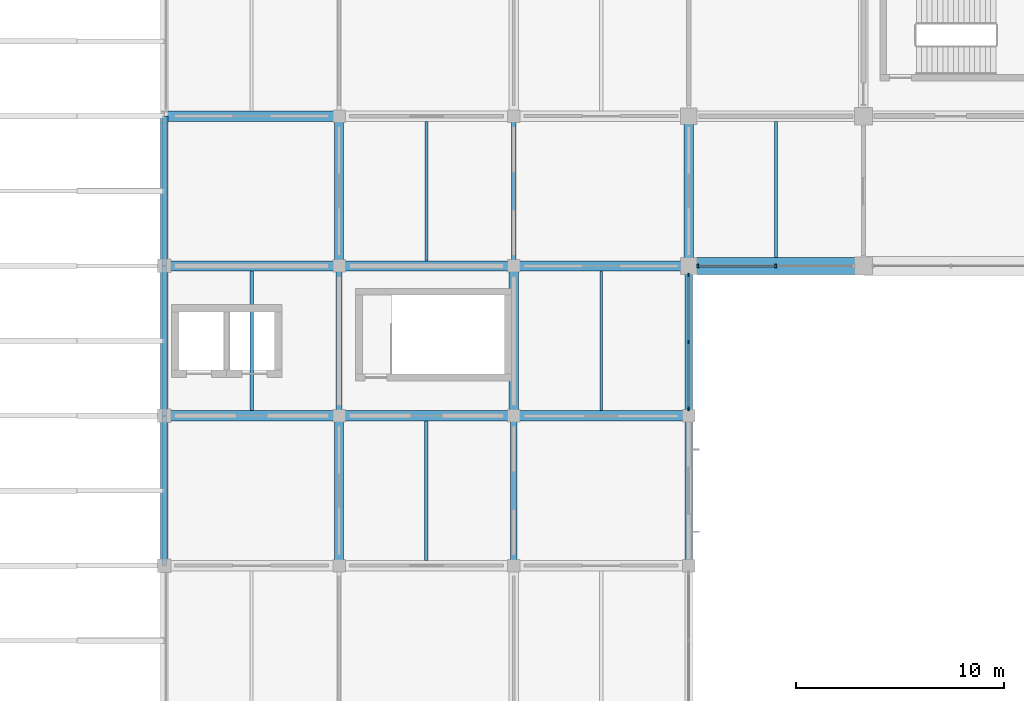
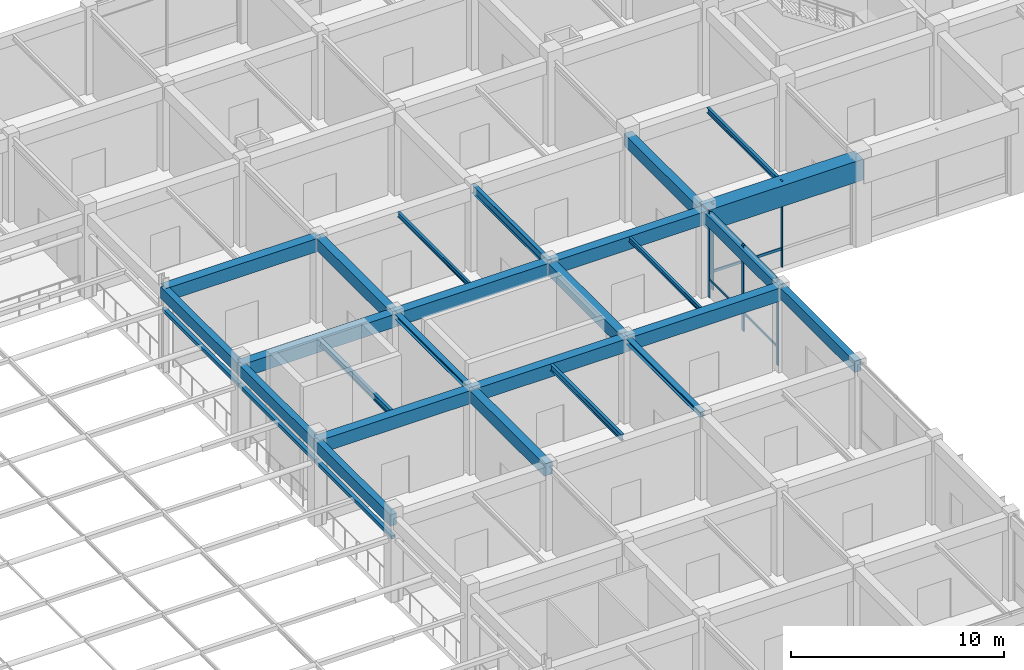
# One storey, part 11 of 38: 25 beams, 11 members, 2 elements without a shape of their own.
"""IFC4 building model written with IfcOpenShell, lengths in metres."""

from ifc_helpers import new_model, si_unit, derived_unit, direction, frame, origin, origin_2d, place, context, subcontext, project, spatial, rectangle, hollow_rectangle, i_section, extrude, material, material_profile, profile_set, type_object, element, aggregate, save


model = new_model("IFC4")

# Units and contexts
model_context = context("Model", 3, precision=1e-05, world=origin(), true_north=direction((0.0, 1.0)))
body_context = subcontext(model_context, "Body", "Model", "MODEL_VIEW")
ifc_project = project(units=[si_unit("LENGTHUNIT", "METRE"), si_unit("AREAUNIT", "SQUARE_METRE"), si_unit("VOLUMEUNIT", "CUBIC_METRE"), si_unit("PLANEANGLEUNIT", "RADIAN"), si_unit("MASSUNIT", "GRAM", prefix="KILO"), derived_unit("THERMALTRANSMITTANCEUNIT", [(si_unit("MASSUNIT", "GRAM", prefix="KILO"), 1), (si_unit("TIMEUNIT", "SECOND"), -3), (si_unit("THERMODYNAMICTEMPERATUREUNIT", "KELVIN"), -1)])], contexts=[model_context])

# Site, building, storey
site_placement = place(None, origin())
site = spatial("IfcSite", under=ifc_project, at=site_placement, CompositionType="ELEMENT")
building_placement = place(site_placement, origin())
building = spatial("IfcBuilding", under=site, at=building_placement, Name="Veldstrom Oceanarium and Marine Research Institute", CompositionType="ELEMENT")
storey_placement = place(building_placement, frame((0.0, 0.0, 16.800048828125)))
storey = spatial("IfcBuildingStorey", under=building, at=storey_placement, Name="L03", CompositionType="ELEMENT", Elevation=16.800048828125)

# Curtain wall, members
ifc_material_1 = material(Name="Anodised Aluminium Framing", Category="aluminium")
curtain_wall_type_1 = type_object("IfcCurtainWallType", Name="ARC-CW-CW06", PredefinedType="USERDEFINED", material=ifc_material_1)
curtain_wall_1_placement = place(storey_placement, origin())
curtain_wall_1 = element("IfcCurtainWall", 1, at=curtain_wall_1_placement, inside=storey, type_object=curtain_wall_type_1, Name="Curtain Wall CW06 CW-L03-058", ObjectType="Curtain wall", PredefinedType="USERDEFINED")
ifc_material_2 = material(Name="Anodised Aluminium Framing", Category="aluminium")
ifc_material_profile_1 = material_profile(ifc_material_2, rectangle(XDim=0.074951171875, YDim=0.179931640625, at=origin_2d()), Name="ALU-MUL-75x180")
ifc_profile_set_1 = profile_set([ifc_material_profile_1], Name="Anodised Aluminium Framing")
member_type_1 = type_object("IfcMemberType", Name="ARC-MUL-ML1", PredefinedType="MULLION", material=ifc_profile_set_1)
member_1_placement = place(storey_placement, frame((67.199951171875, 36.340087890625, 0.0), z_axis=(0.0, 0.0, 1.0), x_axis=(1.0, 0.0, 0.0)))
member_1 = element("IfcMember", 2, at=member_1_placement, type_object=member_type_1, Name="Curtain Wall Mullion CW-L03-058-MUL-1", PredefinedType="MULLION", context=body_context, shape_type="SweptSolid", body=[
    extrude(rectangle(XDim=0.074951171875, YDim=0.179931640625, at=origin_2d()), origin(), (0.0, 0.0, 1.0), 4.949951171875),
])
member_2_placement = place(storey_placement, frame((67.199951171875, 39.550048828125, 0.0), z_axis=(0.0, 0.0, 1.0), x_axis=(1.0, 0.0, 0.0)))
member_2 = element("IfcMember", 3, at=member_2_placement, type_object=member_type_1, Name="Curtain Wall Mullion CW-L03-058-MUL-2", PredefinedType="MULLION", context=body_context, shape_type="SweptSolid", body=[
    extrude(rectangle(XDim=0.074951171875, YDim=0.179931640625, at=origin_2d()), origin(), (0.0, 0.0, 1.0), 4.949951171875),
])
member_3_placement = place(storey_placement, frame((67.199951171875, 42.760009765625, 0.0), z_axis=(0.0, 0.0, 1.0), x_axis=(1.0, 0.0, 0.0)))
member_3 = element("IfcMember", 4, at=member_3_placement, type_object=member_type_1, Name="Curtain Wall Mullion CW-L03-058-MUL-3", PredefinedType="MULLION", context=body_context, shape_type="SweptSolid", body=[
    extrude(rectangle(XDim=0.074951171875, YDim=0.179931640625, at=origin_2d()), origin(), (0.0, 0.0, 1.0), 4.949951171875),
])

ifc_material_3 = material(Name="Anodised Aluminium Framing", Category="aluminium")
curtain_wall_type_2 = type_object("IfcCurtainWallType", Name="ARC-CW-CW02", PredefinedType="USERDEFINED", material=ifc_material_3)
curtain_wall_2_placement = place(storey_placement, origin())
curtain_wall_2 = element("IfcCurtainWall", 5, at=curtain_wall_2_placement, inside=storey, type_object=curtain_wall_type_2, Name="Curtain Wall CW02 CW-L03-060", ObjectType="Curtain wall", PredefinedType="USERDEFINED")
member_4_placement = place(storey_placement, frame((67.639892578125, 43.199951171875, 0.0), z_axis=(0.0, 0.0, 1.0), x_axis=(1.0, 0.0, 0.0)))
member_4 = element("IfcMember", 6, at=member_4_placement, type_object=member_type_1, Name="Curtain Wall Mullion CW-L03-060-MUL-1", PredefinedType="MULLION", context=body_context, shape_type="SweptSolid", body=[
    extrude(rectangle(XDim=0.074951171875, YDim=0.179931640625, at=origin_2d()), origin(), (0.0, 0.0, 1.0), 4.949951171875),
])
member_5_placement = place(storey_placement, frame((71.387451171875, 43.199951171875, 0.0), z_axis=(0.0, 0.0, 1.0), x_axis=(1.0, 0.0, 0.0)))
member_5 = element("IfcMember", 7, at=member_5_placement, type_object=member_type_1, Name="Curtain Wall Mullion CW-L03-060-MUL-2", PredefinedType="MULLION", context=body_context, shape_type="SweptSolid", body=[
    extrude(rectangle(XDim=0.074951171875, YDim=0.179931640625, at=origin_2d()), origin(), (0.0, 0.0, 1.0), 4.949951171875),
])
ifc_material_4 = material(Name="Anodised Aluminium Framing", Category="aluminium")
ifc_material_profile_2 = material_profile(ifc_material_4, rectangle(XDim=0.074951171875, YDim=0.14990234375, at=origin_2d()), Name="ALU-TRN-75x150")
ifc_profile_set_2 = profile_set([ifc_material_profile_2], Name="Anodised Aluminium Framing")
member_type_2 = type_object("IfcMemberType", Name="ARC-TRN-TR1", PredefinedType="USERDEFINED", material=ifc_profile_set_2)
member_6_placement = place(storey_placement, frame((67.679931640625, 43.199951171875, 1.050048828125), z_axis=(1.0, 0.0, 0.0), x_axis=(0.0, 1.0, 0.0)))
member_6 = element("IfcMember", 8, at=member_6_placement, type_object=member_type_2, Name="Curtain Wall Transom CW-L03-060-TRN-1", ObjectType="Transom", PredefinedType="USERDEFINED", context=body_context, shape_type="SweptSolid", body=[
    extrude(rectangle(XDim=0.074951171875, YDim=0.14990234375, at=origin_2d()), origin(), (0.0, 0.0, 1.0), 3.66748046875),
])
aggregate(curtain_wall_2, [member_4, member_5, member_6])

# Member
ifc_material_5 = material(Name="Anodised Aluminium Framing", Category="aluminium")
ifc_material_profile_3 = material_profile(ifc_material_5, rectangle(XDim=0.06494140625, YDim=0.1201171875, at=origin_2d()), Name="ALU-TRN-65x120")
ifc_profile_set_3 = profile_set([ifc_material_profile_3], Name="Anodised Aluminium Framing")
member_type_3 = type_object("IfcMemberType", Name="ARC-TRN-TR2", PredefinedType="USERDEFINED", material=ifc_profile_set_3)
member_7_placement = place(storey_placement, frame((67.199951171875, 36.3798828125, 1.050048828125), z_axis=(0.0, 1.0, 0.0), x_axis=(-1.0, 0.0, 0.0)))
member_7 = element("IfcMember", 9, at=member_7_placement, type_object=member_type_3, Name="Curtain Wall Transom CW-L03-058-TRN-1", ObjectType="Transom", PredefinedType="USERDEFINED", context=body_context, shape_type="SweptSolid", body=[
    extrude(rectangle(XDim=0.06494140625, YDim=0.1201171875, at=origin_2d()), origin(), (0.0, 0.0, 1.0), 3.130126953125),
])

member_8_placement = place(storey_placement, frame((67.199951171875, 39.590087890625, 1.050048828125), z_axis=(0.0, 1.0, 0.0), x_axis=(-1.0, 0.0, 0.0)))
member_8 = element("IfcMember", 10, at=member_8_placement, type_object=member_type_3, Name="Curtain Wall Transom CW-L03-058-TRN-2", ObjectType="Transom", PredefinedType="USERDEFINED", context=body_context, shape_type="SweptSolid", body=[
    extrude(rectangle(XDim=0.06494140625, YDim=0.1201171875, at=origin_2d()), origin(), (0.0, 0.0, 1.0), 3.1298828125),
])

aggregate(curtain_wall_1, [member_1, member_2, member_3, member_7, member_8])

# Beams
ifc_material_6 = material(Name="Concrete C40/50", Category="concrete")
ifc_material_profile_4 = material_profile(ifc_material_6, rectangle(XDim=0.5, YDim=0.75, at=origin_2d()), Name="RC-BM-500x750")
ifc_profile_set_4 = profile_set([ifc_material_profile_4], Name="Concrete C40/50")
beam_type_1 = type_object("IfcBeamType", Name="STR-BM-B03", PredefinedType="BEAM", material=ifc_profile_set_4)
for number, where, z_axis, x_axis, name in (
    (11, (42.0, 36.0, 4.445068359375), (1.0, 0.0, 0.0), (0.0, 1.0, 0.0), "Primary Beam B03 L03-1868"),
    (12, (42.0, 43.199951171875, 4.445068359375), (1.0, 0.0, 0.0), (0.0, 1.0, 0.0), "Primary Beam B03 L03-1869"),
    (13, (42.0, 50.39990234375, 4.445068359375), (1.0, 0.0, 0.0), (0.0, 1.0, 0.0), "Primary Beam B03 L03-1870"),
):
    element("IfcBeam", number, at=place(storey_placement, frame(where, z_axis=z_axis, x_axis=x_axis)), inside=storey, type_object=beam_type_1, Name=name, PredefinedType="BEAM", context=body_context, shape_type="SweptSolid", body=[
        extrude(rectangle(XDim=0.5, YDim=0.75, at=origin_2d()), origin(), (0.0, 0.0, 1.0), 8.39990234375),
    ])
for number, where, z_axis, x_axis, name in (
    (14, (50.39990234375, 36.0, 4.445068359375), (1.0, 0.0, 0.0), (0.0, 1.0, 0.0), "Primary Beam B03 L03-1878"),
    (15, (50.39990234375, 43.199951171875, 4.445068359375), (1.0, 0.0, 0.0), (0.0, 1.0, 0.0), "Primary Beam B03 L03-1879"),
):
    element("IfcBeam", number, at=place(storey_placement, frame(where, z_axis=z_axis, x_axis=x_axis)), inside=storey, type_object=beam_type_1, Name=name, PredefinedType="BEAM", context=body_context, shape_type="SweptSolid", body=[
        extrude(rectangle(XDim=0.5, YDim=0.75, at=origin_2d()), origin(), (0.0, 0.0, 1.0), 8.400146484375),
    ])
for number, where, z_axis, x_axis, name in (
    (16, (58.800048828125, 36.0, 4.445068359375), (1.0, 0.0, 0.0), (0.0, 1.0, 0.0), "Primary Beam B03 L03-1888"),
    (17, (58.800048828125, 43.199951171875, 4.445068359375), (1.0, 0.0, 0.0), (0.0, 1.0, 0.0), "Primary Beam B03 L03-1889"),
):
    element("IfcBeam", number, at=place(storey_placement, frame(where, z_axis=z_axis, x_axis=x_axis)), inside=storey, type_object=beam_type_1, Name=name, PredefinedType="BEAM", context=body_context, shape_type="SweptSolid", body=[
        extrude(rectangle(XDim=0.5, YDim=0.75, at=origin_2d()), origin(), (0.0, 0.0, 1.0), 8.39990234375),
    ])
ifc_material_7 = material(Name="Concrete C40/50", Category="concrete")
ifc_material_profile_5 = material_profile(ifc_material_7, rectangle(XDim=0.449951171875, YDim=0.699951171875, at=origin_2d()), Name="RC-BM-450x700")
ifc_profile_set_5 = profile_set([ifc_material_profile_5], Name="Concrete C40/50")
beam_type_2 = type_object("IfcBeamType", Name="STR-BM-B04", PredefinedType="BEAM", material=ifc_profile_set_5)
for number, where, z_axis, x_axis, name in (
    (18, (50.39990234375, 28.800048828125, 4.469970703125), (0.0, 1.0, 0.0), (-1.0, 0.0, 0.0), "Primary Beam B04 L03-1984"),
    (19, (50.39990234375, 43.199951171875, 4.469970703125), (0.0, 1.0, 0.0), (-1.0, 0.0, 0.0), "Primary Beam B04 L03-1986"),
    (20, (58.800048828125, 36.0, 4.469970703125), (0.0, 1.0, 0.0), (-1.0, 0.0, 0.0), "Primary Beam B04 L03-1994"),
    (21, (67.199951171875, 43.199951171875, 4.469970703125), (0.0, 1.0, 0.0), (-1.0, 0.0, 0.0), "Primary Beam B04 L03-2004"),
):
    element("IfcBeam", number, at=place(storey_placement, frame(where, z_axis=z_axis, x_axis=x_axis)), inside=storey, type_object=beam_type_2, Name=name, PredefinedType="BEAM", context=body_context, shape_type="SweptSolid", body=[
        extrude(rectangle(XDim=0.449951171875, YDim=0.699951171875, at=origin_2d()), origin(), (0.0, 0.0, 1.0), 7.199951171875),
    ])
ifc_material_8 = material(Name="Steel S355JR", Category="steel")
ifc_material_profile_6 = material_profile(ifc_material_8, i_section(OverallWidth=0.300048828125, OverallDepth=0.2900390625, WebThickness=0.008544921875, FlangeThickness=0.013916015625, FilletRadius=0.027099609375, at=origin_2d()), Name="HEA 300")
ifc_profile_set_6 = profile_set([ifc_material_profile_6], Name="Steel S355JR")
beam_type_3 = type_object("IfcBeamType", Name="STR-BM-SB10", PredefinedType="BEAM", material=ifc_profile_set_6)
for number, where, z_axis, x_axis, name in (
    (22, (50.39990234375, 36.0, 4.675048828125), (0.0, 1.0, 0.0), (-1.0, 0.0, 0.0), "Steel Tie Beam SB10 L03-1985"),
    (23, (58.800048828125, 28.800048828125, 4.675048828125), (0.0, 1.0, 0.0), (-1.0, 0.0, 0.0), "Steel Tie Beam SB10 L03-1993"),
):
    element("IfcBeam", number, at=place(storey_placement, frame(where, z_axis=z_axis, x_axis=x_axis)), inside=storey, type_object=beam_type_3, Name=name, PredefinedType="BEAM", context=body_context, shape_type="SweptSolid", body=[
        extrude(i_section(OverallWidth=0.300048828125, OverallDepth=0.2900390625, WebThickness=0.008544921875, FlangeThickness=0.013916015625, FilletRadius=0.027099609375, at=origin_2d()), origin(), (0.0, 0.0, 1.0), 7.199951171875),
    ])
ifc_material_9 = material(Name="Steel S355JR", Category="steel")
ifc_material_profile_7 = material_profile(ifc_material_9, i_section(OverallWidth=0.199951171875, OverallDepth=0.5, WebThickness=0.01025390625, FlangeThickness=0.01611328125, FilletRadius=0.02099609375, at=origin_2d()), Name="IPE 500")
ifc_profile_set_7 = profile_set([ifc_material_profile_7], Name="Steel S355JR")
beam_type_4 = type_object("IfcBeamType", Name="STR-BM-SB6", PredefinedType="BEAM", material=ifc_profile_set_7)
beam_1_placement = place(storey_placement, frame((58.800048828125, 43.199951171875, 4.570068359375), z_axis=(0.0, 1.0, 0.0), x_axis=(-1.0, 0.0, 0.0)))
element("IfcBeam", 24, at=beam_1_placement, inside=storey, type_object=beam_type_4, Name="Steel Tie Beam SB6 L03-1995", PredefinedType="BEAM", context=body_context, shape_type="SweptSolid", body=[
    extrude(i_section(OverallWidth=0.199951171875, OverallDepth=0.5, WebThickness=0.01025390625, FlangeThickness=0.01611328125, FilletRadius=0.02099609375, at=origin_2d()), origin(), (0.0, 0.0, 1.0), 7.199951171875),
])
ifc_material_10 = material(Name="Steel S355JR", Category="steel")
ifc_material_profile_8 = material_profile(ifc_material_10, i_section(OverallWidth=0.169921875, OverallDepth=0.360107421875, WebThickness=0.008056640625, FlangeThickness=0.0126953125, FilletRadius=0.01806640625, at=origin_2d()), Name="IPE 360")
ifc_profile_set_8 = profile_set([ifc_material_profile_8], Name="Steel S355JR")
beam_type_5 = type_object("IfcBeamType", Name="STR-JST-SJ1", PredefinedType="JOIST", material=ifc_profile_set_8)
for number, where, z_axis, x_axis, name in (
    (25, (46.199951171875, 36.25, 4.639892578125), (0.0, 1.0, 0.0), (-1.0, 0.0, 0.0), "Secondary Joist SJ1 L03-2064"),
    (26, (54.60009765625, 29.050048828125, 4.639892578125), (0.0, 1.0, 0.0), (-1.0, 0.0, 0.0), "Secondary Joist SJ1 L03-2068"),
):
    element("IfcBeam", number, at=place(storey_placement, frame(where, z_axis=z_axis, x_axis=x_axis)), inside=storey, type_object=beam_type_5, Name=name, PredefinedType="JOIST", context=body_context, shape_type="SweptSolid", body=[
        extrude(i_section(OverallWidth=0.169921875, OverallDepth=0.360107421875, WebThickness=0.008056640625, FlangeThickness=0.0126953125, FilletRadius=0.01806640625, at=origin_2d()), origin(), (0.0, 0.0, 1.0), 6.699951171875),
    ])
ifc_material_11 = material(Name="Steel S355JR", Category="steel")
ifc_material_profile_9 = material_profile(ifc_material_11, i_section(OverallWidth=0.14990234375, OverallDepth=0.300048828125, WebThickness=0.007080078125, FlangeThickness=0.0107421875, FilletRadius=0.014892578125, at=origin_2d()), Name="IPE 300")
ifc_profile_set_9 = profile_set([ifc_material_profile_9], Name="Steel S355JR")
beam_type_6 = type_object("IfcBeamType", Name="STR-JST-SJ2", PredefinedType="JOIST", material=ifc_profile_set_9)
beam_2_placement = place(storey_placement, frame((71.39990234375, 43.60009765625, 4.794921875), z_axis=(0.0, 1.0, 0.0), x_axis=(-1.0, 0.0, 0.0)))
element("IfcBeam", 27, at=beam_2_placement, inside=storey, type_object=beam_type_6, Name="Secondary Joist SJ2 L03-2076", PredefinedType="JOIST", context=body_context, shape_type="SweptSolid", body=[
    extrude(i_section(OverallWidth=0.14990234375, OverallDepth=0.300048828125, WebThickness=0.007080078125, FlangeThickness=0.0107421875, FilletRadius=0.014892578125, at=origin_2d()), origin(), (0.0, 0.0, 1.0), 6.5498046875),
])
ifc_material_12 = material(Name="Steel S355JR", Category="steel")
ifc_material_profile_10 = material_profile(ifc_material_12, i_section(OverallWidth=0.135009765625, OverallDepth=0.27001953125, WebThickness=0.006591796875, FlangeThickness=0.01025390625, FilletRadius=0.014892578125, at=origin_2d()), Name="IPE 270")
ifc_profile_set_10 = profile_set([ifc_material_profile_10], Name="Steel S355JR")
beam_type_7 = type_object("IfcBeamType", Name="STR-JST-SJ3", PredefinedType="JOIST", material=ifc_profile_set_10)
for number, where, z_axis, x_axis, name in (
    (28, (54.60009765625, 43.449951171875, 4.68505859375), (0.0, 1.0, 0.0), (-1.0, 0.0, 0.0), "Secondary Joist SJ3 L03-2069"),
    (29, (63.0, 36.25, 4.68505859375), (0.0, 1.0, 0.0), (-1.0, 0.0, 0.0), "Secondary Joist SJ3 L03-2073"),
):
    element("IfcBeam", number, at=place(storey_placement, frame(where, z_axis=z_axis, x_axis=x_axis)), inside=storey, type_object=beam_type_7, Name=name, PredefinedType="JOIST", context=body_context, shape_type="SweptSolid", body=[
        extrude(i_section(OverallWidth=0.135009765625, OverallDepth=0.27001953125, WebThickness=0.006591796875, FlangeThickness=0.01025390625, FilletRadius=0.014892578125, at=origin_2d()), origin(), (0.0, 0.0, 1.0), 6.699951171875),
    ])

# Members
ifc_material_13 = material(Name="Steel S355JR", Category="steel")
ifc_material_profile_11 = material_profile(ifc_material_13, hollow_rectangle(XDim=0.199951171875, YDim=0.199951171875, WallThickness=0.012451171875, at=origin_2d()), Name="SHS 200x200x12.5")
ifc_profile_set_11 = profile_set([ifc_material_profile_11], Name="Steel S355JR")
member_type_4 = type_object("IfcMemberType", Name="STR-MEM-CH2", PredefinedType="CHORD", material=ifc_profile_set_11)
for number, where, z_axis, x_axis, name in (
    (30, (42.0, 28.800048828125, 3.5), (0.0, 1.0, 0.0), (-1.0, 0.0, 0.0), "Hall Truss Bottom Longitudinal Tie 6/E"),
    (31, (42.0, 36.0, 3.5), (0.0, 1.0, 0.0), (-1.0, 0.0, 0.0), "Hall Truss Bottom Longitudinal Tie 6/F"),
    (32, (42.0, 43.199951171875, 3.5), (0.0, 1.0, 0.0), (-1.0, 0.0, 0.0), "Hall Truss Bottom Longitudinal Tie 6/G"),
):
    element("IfcMember", number, at=place(storey_placement, frame(where, z_axis=z_axis, x_axis=x_axis)), inside=storey, type_object=member_type_4, Name=name, PredefinedType="CHORD", context=body_context, shape_type="SweptSolid", body=[
        extrude(hollow_rectangle(XDim=0.199951171875, YDim=0.199951171875, WallThickness=0.012451171875, at=origin_2d()), origin(), (0.0, 0.0, 1.0), 7.199951171875),
    ])

# Beams
ifc_material_14 = material(Name="Concrete C40/50", Category="concrete")
ifc_material_profile_12 = material_profile(ifc_material_14, rectangle(XDim=0.35009765625, YDim=0.64990234375, at=origin_2d()), Name="RC-SPN-350x650")
ifc_profile_set_12 = profile_set([ifc_material_profile_12], Name="Concrete C40/50")
beam_type_8 = type_object("IfcBeamType", Name="STR-SPN-SP1", PredefinedType="SPANDREL", material=ifc_profile_set_12)
for number, where, z_axis, x_axis, name in (
    (33, (42.0, 28.800048828125, 4.494873046875), (0.0, 1.0, 0.0), (-1.0, 0.0, 0.0), "Perimeter Spandrel SPB1 L03-1975"),
    (34, (42.0, 36.0, 4.494873046875), (0.0, 1.0, 0.0), (-1.0, 0.0, 0.0), "Perimeter Spandrel SPB1 L03-1976"),
    (35, (42.0, 43.199951171875, 4.494873046875), (0.0, 1.0, 0.0), (-1.0, 0.0, 0.0), "Perimeter Spandrel SPB1 L03-1977"),
    (36, (67.199951171875, 28.800048828125, 4.494873046875), (0.0, 1.0, 0.0), (-1.0, 0.0, 0.0), "Perimeter Spandrel SPB1 L03-2002"),
    (37, (67.199951171875, 36.0, 4.494873046875), (0.0, 1.0, 0.0), (-1.0, 0.0, 0.0), "Perimeter Spandrel SPB1 L03-2003"),
):
    element("IfcBeam", number, at=place(storey_placement, frame(where, z_axis=z_axis, x_axis=x_axis)), inside=storey, type_object=beam_type_8, Name=name, PredefinedType="SPANDREL", context=body_context, shape_type="SweptSolid", body=[
        extrude(rectangle(XDim=0.35009765625, YDim=0.64990234375, at=origin_2d()), origin(), (0.0, 0.0, 1.0), 7.199951171875),
    ])
ifc_material_15 = material(Name="Concrete C50/60", Category="concrete")
ifc_material_profile_13 = material_profile(ifc_material_15, rectangle(XDim=0.800048828125, YDim=1.199951171875, at=origin_2d()), Name="RC-TG-800x1200")
ifc_profile_set_13 = profile_set([ifc_material_profile_13], Name="Concrete C50/60")
beam_type_9 = type_object("IfcBeamType", Name="STR-TG-TG1", PredefinedType="BEAM", material=ifc_profile_set_13)
beam_3_placement = place(storey_placement, frame((67.199951171875, 43.199951171875, 4.344970703125), z_axis=(1.0, 0.0, 0.0), x_axis=(0.0, 1.0, 0.0)))
element("IfcBeam", 38, at=beam_3_placement, inside=storey, type_object=beam_type_9, Name="Transfer Girder TG1 L03-1894", PredefinedType="BEAM", context=body_context, shape_type="SweptSolid", body=[
    extrude(rectangle(XDim=0.800048828125, YDim=1.199951171875, at=origin_2d()), origin(), (0.0, 0.0, 1.0), 8.400146484375),
])

save(model, "model.ifc")
